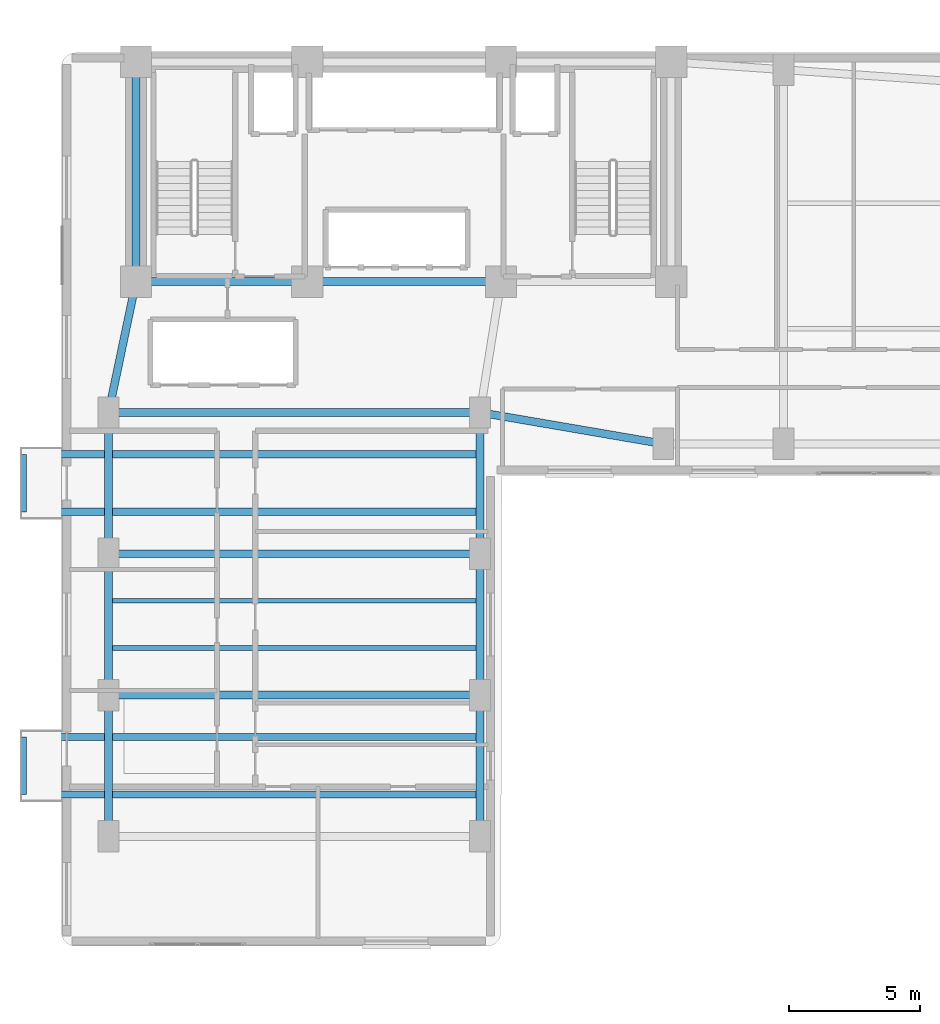
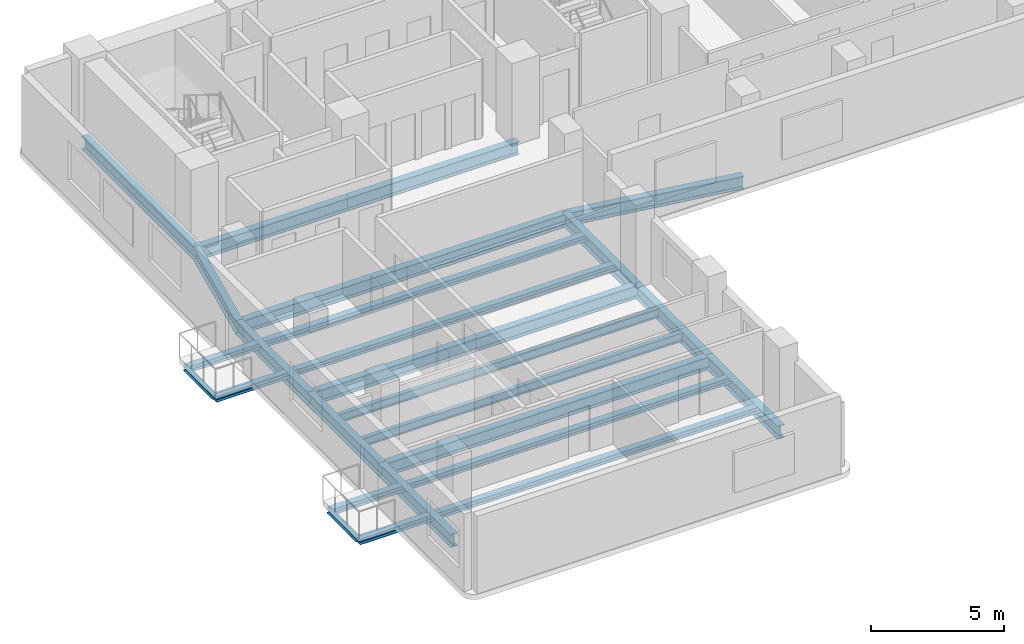
# One storey, part 3 of 16: 22 beams.
"""IFC4 building model written with IfcOpenShell, lengths in metres."""

from ifc_helpers import new_model, si_unit, direction, frame, origin, origin_2d, place, context, subcontext, project, spatial, i_section, extrude, material, material_profile, profile_set, type_object, element, save


model = new_model("IFC4")

# Units and contexts
model_context = context("Model", 3, precision=1e-05, world=origin(), true_north=direction((0.0, 1.0)))
body_context = subcontext(model_context, "Body", "Model", "MODEL_VIEW")
ifc_project = project(units=[si_unit("LENGTHUNIT", "METRE"), si_unit("AREAUNIT", "SQUARE_METRE"), si_unit("VOLUMEUNIT", "CUBIC_METRE"), si_unit("PLANEANGLEUNIT", "RADIAN"), si_unit("MASSUNIT", "GRAM", prefix="KILO")], contexts=[model_context])

# Site, building, storey
site_placement = place(None, origin())
site = spatial("IfcSite", under=ifc_project, at=site_placement, CompositionType="ELEMENT")
building_placement = place(site_placement, origin())
building = spatial("IfcBuilding", under=site, at=building_placement, Name="Kuzgunbayir Cultural Tower", CompositionType="ELEMENT")
storey_placement = place(building_placement, frame((0.0, 0.0, 75.60009765625)))
storey = spatial("IfcBuildingStorey", under=building, at=storey_placement, Name="L21", CompositionType="ELEMENT", Elevation=75.60009765625)

# Beams
ifc_material = material(Name="Steel S355J2", Category="steel")
ifc_material_profile_1 = material_profile(ifc_material, i_section(OverallWidth=0.280029296875, OverallDepth=0.280029296875, WebThickness=0.010498046875, FlangeThickness=0.01806640625, FilletRadius=0.02392578125, at=origin_2d()), Name="HEB 280")
ifc_profile_set_1 = profile_set([ifc_material_profile_1], Name="Steel S355J2")
beam_type_1 = type_object("IfcBeamType", Name="BM-BAL-HEB280", PredefinedType="BEAM", material=ifc_profile_set_1)
for number, where, z_axis, x_axis, name in (
    (1, (2.159912109375, 14.199951171875, -0.380126953125), (1.0, 0.0, 0.0), (0.0, 1.0, 0.0), "L21 Balcony Outrigger Beam BAL-L21-WA1.1"),
    (2, (2.159912109375, 16.39990234375, -0.380126953125), (1.0, 0.0, 0.0), (0.0, 1.0, 0.0), "L21 Balcony Outrigger Beam BAL-L21-WA1.2"),
    (3, (2.159912109375, 25.0, -0.380126953125), (1.0, 0.0, 0.0), (0.0, 1.0, 0.0), "L21 Balcony Outrigger Beam BAL-L21-WA3.1"),
    (4, (2.159912109375, 27.199951171875, -0.380126953125), (1.0, 0.0, 0.0), (0.0, 1.0, 0.0), "L21 Balcony Outrigger Beam BAL-L21-WA3.2"),
):
    element("IfcBeam", number, at=place(storey_placement, frame(where, z_axis=z_axis, x_axis=x_axis)), inside=storey, type_object=beam_type_1, Name=name, PredefinedType="BEAM", context=body_context, shape_type="SweptSolid", body=[
        extrude(i_section(OverallWidth=0.280029296875, OverallDepth=0.280029296875, WebThickness=0.010498046875, FlangeThickness=0.01806640625, FilletRadius=0.02392578125, at=origin_2d()), origin(), (0.0, 0.0, 1.0), 17.440185546875),
    ])
ifc_material_profile_2 = material_profile(ifc_material, i_section(OverallWidth=0.199951171875, OverallDepth=0.199951171875, WebThickness=0.009033203125, FlangeThickness=0.014892578125, FilletRadius=0.01806640625, at=origin_2d()), Name="HEB 200")
ifc_profile_set_2 = profile_set([ifc_material_profile_2], Name="Steel S355J2")
beam_type_2 = type_object("IfcBeamType", Name="BM-CAN-HEB200", PredefinedType="BEAM", material=ifc_profile_set_2)
for number, where, z_axis, x_axis, name in (
    (5, (2.159912109375, 14.199951171875, -0.340087890625), (0.0, 1.0, 0.0), (-1.0, 0.0, 0.0), "L21 Balcony Edge Header BAL-L21-WA1"),
    (6, (2.159912109375, 25.0, -0.340087890625), (0.0, 1.0, 0.0), (-1.0, 0.0, 0.0), "L21 Balcony Edge Header BAL-L21-WA3"),
):
    element("IfcBeam", number, at=place(storey_placement, frame(where, z_axis=z_axis, x_axis=x_axis)), inside=storey, type_object=beam_type_2, Name=name, PredefinedType="BEAM", context=body_context, shape_type="SweptSolid", body=[
        extrude(i_section(OverallWidth=0.199951171875, OverallDepth=0.199951171875, WebThickness=0.009033203125, FlangeThickness=0.014892578125, FilletRadius=0.01806640625, at=origin_2d()), origin(), (0.0, 0.0, 1.0), 2.199951171875),
    ])
ifc_material_profile_3 = material_profile(ifc_material, i_section(OverallWidth=0.300048828125, OverallDepth=0.60009765625, WebThickness=0.015380859375, FlangeThickness=0.030029296875, FilletRadius=0.027099609375, at=origin_2d()), Name="HEB 600")
ifc_profile_set_3 = profile_set([ifc_material_profile_3], Name="Steel S355J2")
beam_type_3 = type_object("IfcBeamType", Name="BM-EXT-HEB600", PredefinedType="BEAM", material=ifc_profile_set_3)
for number, where, z_axis, x_axis, name in (
    (7, (5.39990234375, 12.60009765625, -0.5400390625), (0.0, 1.0, 0.0), (-1.0, 0.0, 0.0), "L21 Wing A West Girder 1"),
    (8, (19.60009765625, 12.60009765625, -0.5400390625), (0.0, 1.0, 0.0), (-1.0, 0.0, 0.0), "L21 Wing A East Girder 1"),
    (9, (5.39990234375, 18.0, -0.5400390625), (0.0, 1.0, 0.0), (-1.0, 0.0, 0.0), "L21 Wing A West Girder 2"),
    (10, (19.60009765625, 18.0, -0.5400390625), (0.0, 1.0, 0.0), (-1.0, 0.0, 0.0), "L21 Wing A East Girder 2"),
):
    element("IfcBeam", number, at=place(storey_placement, frame(where, z_axis=z_axis, x_axis=x_axis)), inside=storey, type_object=beam_type_3, Name=name, PredefinedType="BEAM", context=body_context, shape_type="SweptSolid", body=[
        extrude(i_section(OverallWidth=0.300048828125, OverallDepth=0.60009765625, WebThickness=0.015380859375, FlangeThickness=0.030029296875, FilletRadius=0.027099609375, at=origin_2d()), origin(), (0.0, 0.0, 1.0), 5.39990234375),
    ])
for number, where, z_axis, x_axis, name in (
    (11, (5.39990234375, 23.39990234375, -0.5400390625), (0.0, 1.0, 0.0), (-1.0, 0.0, 0.0), "L21 Wing A West Girder 3"),
    (12, (19.60009765625, 23.39990234375, -0.5400390625), (0.0, 1.0, 0.0), (-1.0, 0.0, 0.0), "L21 Wing A East Girder 3"),
):
    element("IfcBeam", number, at=place(storey_placement, frame(where, z_axis=z_axis, x_axis=x_axis)), inside=storey, type_object=beam_type_3, Name=name, PredefinedType="BEAM", context=body_context, shape_type="SweptSolid", body=[
        extrude(i_section(OverallWidth=0.300048828125, OverallDepth=0.60009765625, WebThickness=0.015380859375, FlangeThickness=0.030029296875, FilletRadius=0.027099609375, at=origin_2d()), origin(), (0.0, 0.0, 1.0), 5.400146484375),
    ])
ifc_material_profile_4 = material_profile(ifc_material, i_section(OverallWidth=0.300048828125, OverallDepth=0.60009765625, WebThickness=0.015380859375, FlangeThickness=0.030029296875, FilletRadius=0.027099609375, at=origin_2d()), Name="HEB 600")
ifc_profile_set_4 = profile_set([ifc_material_profile_4], Name="Steel S355J2")
beam_type_4 = type_object("IfcBeamType", Name="BM-GIR-HEB600", PredefinedType="BEAM", material=ifc_profile_set_4)
beam_1_placement = place(storey_placement, frame((6.449951171875, 33.800048828125, -0.5400390625), z_axis=(1.0, 0.0, 0.0), x_axis=(0.0, 1.0, 0.0)))
element("IfcBeam", 13, at=beam_1_placement, inside=storey, type_object=beam_type_4, Name="L21 Core South Girder 1", PredefinedType="BEAM", context=body_context, shape_type="SweptSolid", body=[
    extrude(i_section(OverallWidth=0.300048828125, OverallDepth=0.60009765625, WebThickness=0.015380859375, FlangeThickness=0.030029296875, FilletRadius=0.027099609375, at=origin_2d()), origin(), (0.0, 0.0, 1.0), 6.550048828125),
])
beam_2_placement = place(storey_placement, frame((13.0, 33.800048828125, -0.5400390625), z_axis=(1.0, 0.0, 0.0), x_axis=(0.0, 1.0, 0.0)))
element("IfcBeam", 14, at=beam_2_placement, inside=storey, type_object=beam_type_4, Name="L21 Core South Girder 2", PredefinedType="BEAM", context=body_context, shape_type="SweptSolid", body=[
    extrude(i_section(OverallWidth=0.300048828125, OverallDepth=0.60009765625, WebThickness=0.015380859375, FlangeThickness=0.030029296875, FilletRadius=0.027099609375, at=origin_2d()), origin(), (0.0, 0.0, 1.0), 7.39990234375),
])
beam_3_placement = place(storey_placement, frame((6.449951171875, 33.800048828125, -0.5400390625), z_axis=(0.0, 1.0, 0.0), x_axis=(-1.0, 0.0, 0.0)))
element("IfcBeam", 15, at=beam_3_placement, inside=storey, type_object=beam_type_4, Name="L21 Core West Edge Girder", PredefinedType="BEAM", context=body_context, shape_type="SweptSolid", body=[
    extrude(i_section(OverallWidth=0.300048828125, OverallDepth=0.60009765625, WebThickness=0.015380859375, FlangeThickness=0.030029296875, FilletRadius=0.027099609375, at=origin_2d()), origin(), (0.0, 0.0, 1.0), 8.39990234375),
])
for number, where, z_axis, x_axis, name in (
    (16, (5.39990234375, 18.0, -0.5400390625), (1.0, 0.0, 0.0), (0.0, 1.0, 0.0), "L21 Wing A Transverse Girder 2"),
    (17, (5.39990234375, 23.39990234375, -0.5400390625), (1.0, 0.0, 0.0), (0.0, 1.0, 0.0), "L21 Wing A Transverse Girder 3"),
    (18, (5.39990234375, 28.800048828125, -0.5400390625), (1.0, 0.0, 0.0), (0.0, 1.0, 0.0), "L21 Wing A Transverse Girder 4"),
):
    element("IfcBeam", number, at=place(storey_placement, frame(where, z_axis=z_axis, x_axis=x_axis)), inside=storey, type_object=beam_type_4, Name=name, PredefinedType="BEAM", context=body_context, shape_type="SweptSolid", body=[
        extrude(i_section(OverallWidth=0.300048828125, OverallDepth=0.60009765625, WebThickness=0.015380859375, FlangeThickness=0.030029296875, FilletRadius=0.027099609375, at=origin_2d()), origin(), (0.0, 0.0, 1.0), 14.2001953125),
    ])
beam_4_placement = place(storey_placement, frame((5.39990234375, 28.800048828125, -0.5400390625), z_axis=(0.205526387753, 0.978651574329, 0.0), x_axis=(-0.978651574329, 0.205526387753, 0.0)))
element("IfcBeam", 19, at=beam_4_placement, inside=storey, type_object=beam_type_4, Name="L21 Wing A West Core Floor Girder", PredefinedType="BEAM", context=body_context, shape_type="SweptSolid", body=[
    extrude(i_section(OverallWidth=0.300048828125, OverallDepth=0.60009765625, WebThickness=0.015380859375, FlangeThickness=0.030029296875, FilletRadius=0.027099609375, at=origin_2d()), origin(), (0.0, 0.0, 1.0), 5.109130859375),
])
beam_5_placement = place(storey_placement, frame((19.60009765625, 28.800048828125, -0.5400390625), z_axis=(0.985623399742, -0.168957136221, 0.0), x_axis=(0.168957136221, 0.985623399742, 0.0)))
element("IfcBeam", 20, at=beam_5_placement, inside=storey, type_object=beam_type_4, Name="L21 Wing B Waist Tie Girder", PredefinedType="BEAM", context=body_context, shape_type="SweptSolid", body=[
    extrude(i_section(OverallWidth=0.300048828125, OverallDepth=0.60009765625, WebThickness=0.015380859375, FlangeThickness=0.030029296875, FilletRadius=0.027099609375, at=origin_2d()), origin(), (0.0, 0.0, 1.0), 7.10205078125),
])
ifc_material_profile_5 = material_profile(ifc_material, i_section(OverallWidth=0.179931640625, OverallDepth=0.39990234375, WebThickness=0.008544921875, FlangeThickness=0.013427734375, FilletRadius=0.02099609375, at=origin_2d()), Name="IPE 400")
ifc_profile_set_5 = profile_set([ifc_material_profile_5], Name="Steel S355J2")
beam_type_5 = type_object("IfcBeamType", Name="BM-JST-IPE400", PredefinedType="JOIST", material=ifc_profile_set_5)
for number, where, z_axis, x_axis, name in (
    (21, (5.550048828125, 19.800048828125, -0.440185546875), (1.0, 0.0, 0.0), (0.0, 1.0, 0.0), "L21 Wing A Secondary Joist 3"),
    (22, (5.550048828125, 21.60009765625, -0.440185546875), (1.0, 0.0, 0.0), (0.0, 1.0, 0.0), "L21 Wing A Secondary Joist 4"),
):
    element("IfcBeam", number, at=place(storey_placement, frame(where, z_axis=z_axis, x_axis=x_axis)), inside=storey, type_object=beam_type_5, Name=name, PredefinedType="JOIST", context=body_context, shape_type="SweptSolid", body=[
        extrude(i_section(OverallWidth=0.179931640625, OverallDepth=0.39990234375, WebThickness=0.008544921875, FlangeThickness=0.013427734375, FilletRadius=0.02099609375, at=origin_2d()), origin(), (0.0, 0.0, 1.0), 13.89990234375),
    ])

save(model, "model.ifc")
